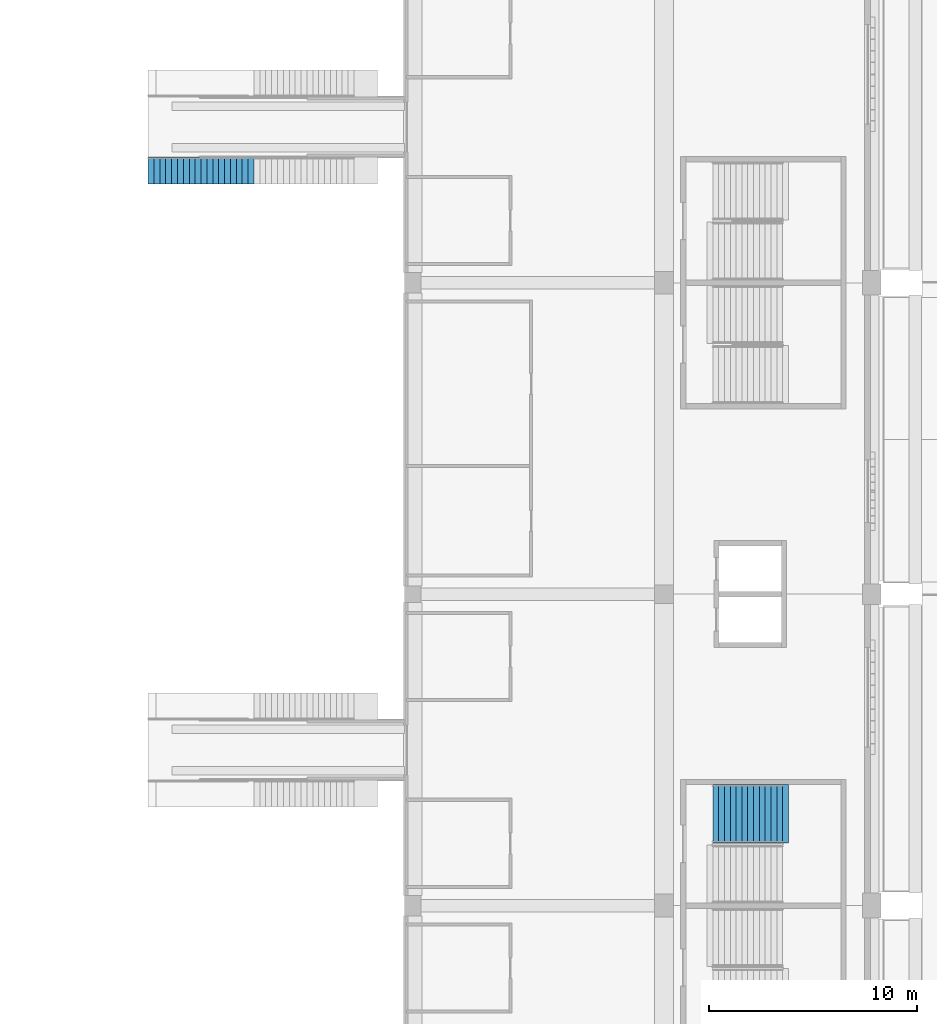
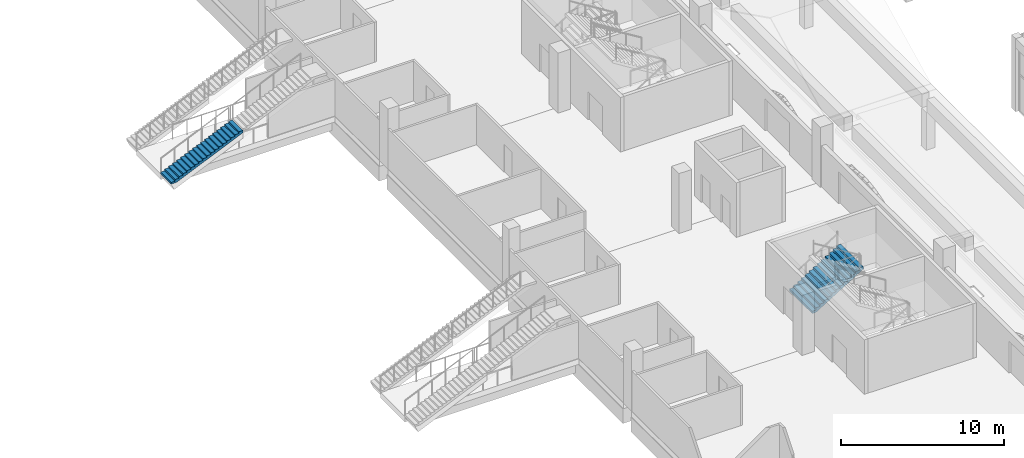
# One storey, part 102 of 175: 2 stair flights, 2 elements without a shape of their own.
"""IFC4 building model written with IfcOpenShell, lengths in metres."""

from ifc_helpers import new_model, si_unit, direction, frame, origin, place, context, subcontext, project, spatial, faceted_brep, material, type_object, element, aggregate, save


model = new_model("IFC4")

# Units and contexts
model_context = context("Model", 3, precision=1e-05, world=origin(), true_north=direction((0.0, 1.0)))
body_context = subcontext(model_context, "Body", "Model", "MODEL_VIEW")
ifc_project = project(units=[si_unit("LENGTHUNIT", "METRE"), si_unit("AREAUNIT", "SQUARE_METRE"), si_unit("VOLUMEUNIT", "CUBIC_METRE"), si_unit("PLANEANGLEUNIT", "RADIAN"), si_unit("MASSUNIT", "GRAM", prefix="KILO")], contexts=[model_context])

# Site, building, storey
site_placement = place(None, origin())
site = spatial("IfcSite", under=ifc_project, at=site_placement, CompositionType="ELEMENT")
building_placement = place(site_placement, origin())
building = spatial("IfcBuilding", under=site, at=building_placement, Name="Ogive Plaza Stadium", CompositionType="ELEMENT")
storey_placement = place(building_placement, origin())
storey = spatial("IfcBuildingStorey", under=building, at=storey_placement, Name="L00", CompositionType="ELEMENT", Elevation=0.0)

# Stair, stair flight
ifc_material_1 = material(Name="Concrete C40/50", Category="concrete")
stair_type_1 = type_object("IfcStairType", Name="Aisle stair", PredefinedType="STRAIGHT_RUN_STAIR", material=ifc_material_1)
stair_1_placement = place(storey_placement, origin())
stair_1 = element("IfcStair", 1, at=stair_1_placement, inside=storey, type_object=stair_type_1, Name="Aisle stair SA03L", PredefinedType="STRAIGHT_RUN_STAIR")
ifc_material_2 = material(Name="Concrete C40/50", Category="concrete")
stair_flight_type_1 = type_object("IfcStairFlightType", Name="Aisle stair flight", PredefinedType="STRAIGHT", material=ifc_material_2)
stair_flight_1_placement = place(storey_placement, frame((49.14990234375, 12.89990234375, 0.0), z_axis=(0.0, 0.0, 1.0), x_axis=(1.0, 0.0, 0.0)))
stair_flight_1 = element("IfcStairFlight", 2, at=stair_flight_1_placement, type_object=stair_flight_type_1, Name="SA03L flight 1", NumberOfRisers=18, NumberOfTreads=17, PredefinedType="STRAIGHT", RiserHeight=0.125, TreadLength=0.283333333, context=body_context, shape_type="Brep", body=[
    faceted_brep([(0.371337890625, -0.64990234375, 0.0), (5.10009765625, -0.64990234375, 2.086181640625), (5.10009765625, -0.64990234375, 2.25), (4.816650390625, -0.64990234375, 2.25), (4.816650390625, -0.64990234375, 2.125), (4.533447265625, -0.64990234375, 2.125), (4.533447265625, -0.64990234375, 2.0), (4.25, -0.64990234375, 2.0), (4.25, -0.64990234375, 1.875), (3.966552734375, -0.64990234375, 1.875), (3.966552734375, -0.64990234375, 1.75), (3.683349609375, -0.64990234375, 1.75), (3.683349609375, -0.64990234375, 1.625), (3.39990234375, -0.64990234375, 1.625), (3.39990234375, -0.64990234375, 1.5), (3.11669921875, -0.64990234375, 1.5), (3.11669921875, -0.64990234375, 1.375), (2.833251953125, -0.64990234375, 1.375), (2.833251953125, -0.64990234375, 1.25), (2.550048828125, -0.64990234375, 1.25), (2.550048828125, -0.64990234375, 1.125), (2.2666015625, -0.64990234375, 1.125), (2.2666015625, -0.64990234375, 1.0), (1.9833984375, -0.64990234375, 1.0), (1.9833984375, -0.64990234375, 0.875), (1.699951171875, -0.64990234375, 0.875), (1.699951171875, -0.64990234375, 0.75), (1.416748046875, -0.64990234375, 0.75), (1.416748046875, -0.64990234375, 0.625), (1.13330078125, -0.64990234375, 0.625), (1.13330078125, -0.64990234375, 0.5), (0.85009765625, -0.64990234375, 0.5), (0.85009765625, -0.64990234375, 0.375), (0.566650390625, -0.64990234375, 0.375), (0.566650390625, -0.64990234375, 0.25), (0.283447265625, -0.64990234375, 0.25), (0.283447265625, -0.64990234375, 0.125), (0.0, -0.64990234375, 0.125), (0.0, -0.64990234375, 0.0), (0.0, 0.64990234375, 0.0), (0.0, 0.64990234375, 0.125), (0.283447265625, 0.64990234375, 0.125), (0.283447265625, 0.64990234375, 0.25), (0.566650390625, 0.64990234375, 0.25), (0.566650390625, 0.64990234375, 0.375), (0.85009765625, 0.64990234375, 0.375), (0.85009765625, 0.64990234375, 0.5), (1.13330078125, 0.64990234375, 0.5), (1.13330078125, 0.64990234375, 0.625), (1.416748046875, 0.64990234375, 0.625), (1.416748046875, 0.64990234375, 0.75), (1.699951171875, 0.64990234375, 0.75), (1.699951171875, 0.64990234375, 0.875), (1.9833984375, 0.64990234375, 0.875), (1.9833984375, 0.64990234375, 1.0), (2.2666015625, 0.64990234375, 1.0), (2.2666015625, 0.64990234375, 1.125), (2.550048828125, 0.64990234375, 1.125), (2.550048828125, 0.64990234375, 1.25), (2.833251953125, 0.64990234375, 1.25), (2.833251953125, 0.64990234375, 1.375), (3.11669921875, 0.64990234375, 1.375), (3.11669921875, 0.64990234375, 1.5), (3.39990234375, 0.64990234375, 1.5), (3.39990234375, 0.64990234375, 1.625), (3.683349609375, 0.64990234375, 1.625), (3.683349609375, 0.64990234375, 1.75), (3.966552734375, 0.64990234375, 1.75), (3.966552734375, 0.64990234375, 1.875), (4.25, 0.64990234375, 1.875), (4.25, 0.64990234375, 2.0), (4.533447265625, 0.64990234375, 2.0), (4.533447265625, 0.64990234375, 2.125), (4.816650390625, 0.64990234375, 2.125), (4.816650390625, 0.64990234375, 2.25), (5.10009765625, 0.64990234375, 2.25), (5.10009765625, 0.64990234375, 2.086181640625), (0.371337890625, 0.64990234375, 0.0), (0.371337890625, -0.324951171875, 0.0), (5.10009765625, -0.324951171875, 2.086181640625), (0.371337890625, 0.0, 0.0), (5.10009765625, 0.0, 2.086181640625), (0.371337890625, 0.324951171875, 0.0), (5.10009765625, 0.324951171875, 2.086181640625), (5.10009765625, -0.324951171875, 2.25), (5.10009765625, 0.0, 2.25), (5.10009765625, 0.324951171875, 2.25), (4.816650390625, -0.324951171875, 2.25), (4.816650390625, 0.0, 2.25), (4.816650390625, 0.324951171875, 2.25), (4.816650390625, -0.324951171875, 2.125), (4.816650390625, 0.0, 2.125), (4.816650390625, 0.324951171875, 2.125), (4.533447265625, -0.324951171875, 2.125), (4.533447265625, 0.0, 2.125), (4.533447265625, 0.324951171875, 2.125), (4.533447265625, -0.324951171875, 2.0), (4.533447265625, 0.0, 2.0), (4.533447265625, 0.324951171875, 2.0), (4.25, -0.324951171875, 2.0), (4.25, 0.0, 2.0), (4.25, 0.324951171875, 2.0), (4.25, -0.324951171875, 1.875), (4.25, 0.0, 1.875), (4.25, 0.324951171875, 1.875), (3.966552734375, -0.324951171875, 1.875), (3.966552734375, 0.0, 1.875), (3.966552734375, 0.324951171875, 1.875), (3.966552734375, -0.324951171875, 1.75), (3.966552734375, 0.0, 1.75), (3.966552734375, 0.324951171875, 1.75), (3.683349609375, -0.324951171875, 1.75), (3.683349609375, 0.0, 1.75), (3.683349609375, 0.324951171875, 1.75), (3.683349609375, -0.324951171875, 1.625), (3.683349609375, 0.0, 1.625), (3.683349609375, 0.324951171875, 1.625), (3.39990234375, -0.324951171875, 1.625), (3.39990234375, 0.0, 1.625), (3.39990234375, 0.324951171875, 1.625), (3.39990234375, -0.324951171875, 1.5), (3.39990234375, 0.0, 1.5), (3.39990234375, 0.324951171875, 1.5), (3.11669921875, -0.324951171875, 1.5), (3.11669921875, 0.0, 1.5), (3.11669921875, 0.324951171875, 1.5), (3.11669921875, -0.324951171875, 1.375), (3.11669921875, 0.0, 1.375), (3.11669921875, 0.324951171875, 1.375), (2.833251953125, -0.324951171875, 1.375), (2.833251953125, 0.0, 1.375), (2.833251953125, 0.324951171875, 1.375), (2.833251953125, -0.324951171875, 1.25), (2.833251953125, 0.0, 1.25), (2.833251953125, 0.324951171875, 1.25), (2.550048828125, -0.324951171875, 1.25), (2.550048828125, 0.0, 1.25), (2.550048828125, 0.324951171875, 1.25), (2.550048828125, -0.324951171875, 1.125), (2.550048828125, 0.0, 1.125), (2.550048828125, 0.324951171875, 1.125), (2.2666015625, -0.324951171875, 1.125), (2.2666015625, 0.0, 1.125), (2.2666015625, 0.324951171875, 1.125), (2.2666015625, -0.324951171875, 1.0), (2.2666015625, 0.0, 1.0), (2.2666015625, 0.324951171875, 1.0), (1.9833984375, -0.324951171875, 1.0), (1.9833984375, 0.0, 1.0), (1.9833984375, 0.324951171875, 1.0), (1.9833984375, -0.324951171875, 0.875), (1.9833984375, 0.0, 0.875), (1.9833984375, 0.324951171875, 0.875), (1.699951171875, -0.324951171875, 0.875), (1.699951171875, 0.0, 0.875), (1.699951171875, 0.324951171875, 0.875), (1.699951171875, -0.324951171875, 0.75), (1.699951171875, 0.0, 0.75), (1.699951171875, 0.324951171875, 0.75), (1.416748046875, -0.324951171875, 0.75), (1.416748046875, 0.0, 0.75), (1.416748046875, 0.324951171875, 0.75), (1.416748046875, -0.324951171875, 0.625), (1.416748046875, 0.0, 0.625), (1.416748046875, 0.324951171875, 0.625), (1.13330078125, -0.324951171875, 0.625), (1.13330078125, 0.0, 0.625), (1.13330078125, 0.324951171875, 0.625), (1.13330078125, -0.324951171875, 0.5), (1.13330078125, 0.0, 0.5), (1.13330078125, 0.324951171875, 0.5), (0.85009765625, -0.324951171875, 0.5), (0.85009765625, 0.0, 0.5), (0.85009765625, 0.324951171875, 0.5), (0.85009765625, -0.324951171875, 0.375), (0.85009765625, 0.0, 0.375), (0.85009765625, 0.324951171875, 0.375), (0.566650390625, -0.324951171875, 0.375), (0.566650390625, 0.0, 0.375), (0.566650390625, 0.324951171875, 0.375), (0.566650390625, -0.324951171875, 0.25), (0.566650390625, 0.0, 0.25), (0.566650390625, 0.324951171875, 0.25), (0.283447265625, -0.324951171875, 0.25), (0.283447265625, 0.0, 0.25), (0.283447265625, 0.324951171875, 0.25), (0.283447265625, -0.324951171875, 0.125), (0.283447265625, 0.0, 0.125), (0.283447265625, 0.324951171875, 0.125), (0.0, -0.324951171875, 0.125), (0.0, 0.0, 0.125), (0.0, 0.324951171875, 0.125), (0.0, -0.324951171875, 0.0), (0.0, 0.0, 0.0), (0.0, 0.324951171875, 0.0)], [[[0, 1, 2, 3, 4, 5, 6, 7, 8, 9, 10, 11, 12, 13, 14, 15, 16, 17, 18, 19, 20, 21, 22, 23, 24, 25, 26, 27, 28, 29, 30, 31, 32, 33, 34, 35, 36, 37, 38]], [[39, 40, 41, 42, 43, 44, 45, 46, 47, 48, 49, 50, 51, 52, 53, 54, 55, 56, 57, 58, 59, 60, 61, 62, 63, 64, 65, 66, 67, 68, 69, 70, 71, 72, 73, 74, 75, 76, 77]], [[0, 78, 79, 1]], [[78, 80, 81, 79]], [[80, 82, 83, 81]], [[82, 77, 76, 83]], [[1, 79, 84, 2]], [[79, 81, 85, 84]], [[81, 83, 86, 85]], [[83, 76, 75, 86]], [[2, 84, 87, 3]], [[84, 85, 88, 87]], [[85, 86, 89, 88]], [[86, 75, 74, 89]], [[3, 87, 90, 4]], [[87, 88, 91, 90]], [[88, 89, 92, 91]], [[89, 74, 73, 92]], [[4, 90, 93, 5]], [[90, 91, 94, 93]], [[91, 92, 95, 94]], [[92, 73, 72, 95]], [[5, 93, 96, 6]], [[93, 94, 97, 96]], [[94, 95, 98, 97]], [[95, 72, 71, 98]], [[6, 96, 99, 7]], [[96, 97, 100, 99]], [[97, 98, 101, 100]], [[98, 71, 70, 101]], [[7, 99, 102, 8]], [[99, 100, 103, 102]], [[100, 101, 104, 103]], [[101, 70, 69, 104]], [[8, 102, 105, 9]], [[102, 103, 106, 105]], [[103, 104, 107, 106]], [[104, 69, 68, 107]], [[9, 105, 108, 10]], [[105, 106, 109, 108]], [[106, 107, 110, 109]], [[107, 68, 67, 110]], [[10, 108, 111, 11]], [[108, 109, 112, 111]], [[109, 110, 113, 112]], [[110, 67, 66, 113]], [[11, 111, 114, 12]], [[111, 112, 115, 114]], [[112, 113, 116, 115]], [[113, 66, 65, 116]], [[12, 114, 117, 13]], [[114, 115, 118, 117]], [[115, 116, 119, 118]], [[116, 65, 64, 119]], [[13, 117, 120, 14]], [[117, 118, 121, 120]], [[118, 119, 122, 121]], [[119, 64, 63, 122]], [[14, 120, 123, 15]], [[120, 121, 124, 123]], [[121, 122, 125, 124]], [[122, 63, 62, 125]], [[15, 123, 126, 16]], [[123, 124, 127, 126]], [[124, 125, 128, 127]], [[125, 62, 61, 128]], [[16, 126, 129, 17]], [[126, 127, 130, 129]], [[127, 128, 131, 130]], [[128, 61, 60, 131]], [[17, 129, 132, 18]], [[129, 130, 133, 132]], [[130, 131, 134, 133]], [[131, 60, 59, 134]], [[18, 132, 135, 19]], [[132, 133, 136, 135]], [[133, 134, 137, 136]], [[134, 59, 58, 137]], [[19, 135, 138, 20]], [[135, 136, 139, 138]], [[136, 137, 140, 139]], [[137, 58, 57, 140]], [[20, 138, 141, 21]], [[138, 139, 142, 141]], [[139, 140, 143, 142]], [[140, 57, 56, 143]], [[21, 141, 144, 22]], [[141, 142, 145, 144]], [[142, 143, 146, 145]], [[143, 56, 55, 146]], [[22, 144, 147, 23]], [[144, 145, 148, 147]], [[145, 146, 149, 148]], [[146, 55, 54, 149]], [[23, 147, 150, 24]], [[147, 148, 151, 150]], [[148, 149, 152, 151]], [[149, 54, 53, 152]], [[24, 150, 153, 25]], [[150, 151, 154, 153]], [[151, 152, 155, 154]], [[152, 53, 52, 155]], [[25, 153, 156, 26]], [[153, 154, 157, 156]], [[154, 155, 158, 157]], [[155, 52, 51, 158]], [[26, 156, 159, 27]], [[156, 157, 160, 159]], [[157, 158, 161, 160]], [[158, 51, 50, 161]], [[27, 159, 162, 28]], [[159, 160, 163, 162]], [[160, 161, 164, 163]], [[161, 50, 49, 164]], [[28, 162, 165, 29]], [[162, 163, 166, 165]], [[163, 164, 167, 166]], [[164, 49, 48, 167]], [[29, 165, 168, 30]], [[165, 166, 169, 168]], [[166, 167, 170, 169]], [[167, 48, 47, 170]], [[30, 168, 171, 31]], [[168, 169, 172, 171]], [[169, 170, 173, 172]], [[170, 47, 46, 173]], [[31, 171, 174, 32]], [[171, 172, 175, 174]], [[172, 173, 176, 175]], [[173, 46, 45, 176]], [[32, 174, 177, 33]], [[174, 175, 178, 177]], [[175, 176, 179, 178]], [[176, 45, 44, 179]], [[33, 177, 180, 34]], [[177, 178, 181, 180]], [[178, 179, 182, 181]], [[179, 44, 43, 182]], [[34, 180, 183, 35]], [[180, 181, 184, 183]], [[181, 182, 185, 184]], [[182, 43, 42, 185]], [[35, 183, 186, 36]], [[183, 184, 187, 186]], [[184, 185, 188, 187]], [[185, 42, 41, 188]], [[36, 186, 189, 37]], [[186, 187, 190, 189]], [[187, 188, 191, 190]], [[188, 41, 40, 191]], [[37, 189, 192, 38]], [[189, 190, 193, 192]], [[190, 191, 194, 193]], [[191, 40, 39, 194]], [[38, 192, 78, 0]], [[192, 193, 80, 78]], [[193, 194, 82, 80]], [[194, 39, 77, 82]]]),
])
aggregate(stair_1, [stair_flight_1])

ifc_material_3 = material(Name="Concrete C40/50", Category="concrete")
stair_type_2 = type_object("IfcStairType", Name="Exit stair", PredefinedType="STRAIGHT_RUN_STAIR", material=ifc_material_3)
stair_2_placement = place(storey_placement, origin())
stair_2 = element("IfcStair", 3, at=stair_2_placement, inside=storey, type_object=stair_type_2, Name="Exit stair ST06B L00 to L01", PredefinedType="STRAIGHT_RUN_STAIR")
ifc_material_4 = material(Name="Concrete C40/50", Category="concrete")
stair_flight_type_2 = type_object("IfcStairFlightType", Name="Exit stair flight", PredefinedType="STRAIGHT", material=ifc_material_4)
stair_flight_2_placement = place(storey_placement, frame((76.35009765625, -18.074951171875, 0.0), z_axis=(0.0, 0.0, 1.0), x_axis=(1.0, 0.0, 0.0)))
stair_flight_2 = element("IfcStairFlight", 4, at=stair_flight_2_placement, type_object=stair_flight_type_2, Name="ST06B flight 1", NumberOfRisers=13, NumberOfTreads=12, PredefinedType="STRAIGHT", RiserHeight=0.173076923, TreadLength=0.28, context=body_context, shape_type="Brep", body=[
    faceted_brep([(0.28515625, -1.39990234375, 0.0), (3.639892578125, -1.39990234375, 2.07373046875), (3.639892578125, -1.39990234375, 2.25), (3.360107421875, -1.39990234375, 2.25), (3.360107421875, -1.39990234375, 2.076904296875), (3.080078125, -1.39990234375, 2.076904296875), (3.080078125, -1.39990234375, 1.90380859375), (2.800048828125, -1.39990234375, 1.90380859375), (2.800048828125, -1.39990234375, 1.730712890625), (2.52001953125, -1.39990234375, 1.730712890625), (2.52001953125, -1.39990234375, 1.5576171875), (2.239990234375, -1.39990234375, 1.5576171875), (2.239990234375, -1.39990234375, 1.384521484375), (1.9599609375, -1.39990234375, 1.384521484375), (1.9599609375, -1.39990234375, 1.21142578125), (1.679931640625, -1.39990234375, 1.21142578125), (1.679931640625, -1.39990234375, 1.03857421875), (1.39990234375, -1.39990234375, 1.03857421875), (1.39990234375, -1.39990234375, 0.865478515625), (1.1201171875, -1.39990234375, 0.865478515625), (1.1201171875, -1.39990234375, 0.6923828125), (0.840087890625, -1.39990234375, 0.6923828125), (0.840087890625, -1.39990234375, 0.519287109375), (0.56005859375, -1.39990234375, 0.519287109375), (0.56005859375, -1.39990234375, 0.34619140625), (0.280029296875, -1.39990234375, 0.34619140625), (0.280029296875, -1.39990234375, 0.173095703125), (0.0, -1.39990234375, 0.173095703125), (0.0, -1.39990234375, 0.0), (0.0, 1.39990234375, 0.0), (0.0, 1.39990234375, 0.173095703125), (0.280029296875, 1.39990234375, 0.173095703125), (0.280029296875, 1.39990234375, 0.34619140625), (0.56005859375, 1.39990234375, 0.34619140625), (0.56005859375, 1.39990234375, 0.519287109375), (0.840087890625, 1.39990234375, 0.519287109375), (0.840087890625, 1.39990234375, 0.6923828125), (1.1201171875, 1.39990234375, 0.6923828125), (1.1201171875, 1.39990234375, 0.865478515625), (1.39990234375, 1.39990234375, 0.865478515625), (1.39990234375, 1.39990234375, 1.03857421875), (1.679931640625, 1.39990234375, 1.03857421875), (1.679931640625, 1.39990234375, 1.21142578125), (1.9599609375, 1.39990234375, 1.21142578125), (1.9599609375, 1.39990234375, 1.384521484375), (2.239990234375, 1.39990234375, 1.384521484375), (2.239990234375, 1.39990234375, 1.5576171875), (2.52001953125, 1.39990234375, 1.5576171875), (2.52001953125, 1.39990234375, 1.730712890625), (2.800048828125, 1.39990234375, 1.730712890625), (2.800048828125, 1.39990234375, 1.90380859375), (3.080078125, 1.39990234375, 1.90380859375), (3.080078125, 1.39990234375, 2.076904296875), (3.360107421875, 1.39990234375, 2.076904296875), (3.360107421875, 1.39990234375, 2.25), (3.639892578125, 1.39990234375, 2.25), (3.639892578125, 1.39990234375, 2.07373046875), (0.28515625, 1.39990234375, 0.0), (0.28515625, -1.0888671875, 0.0), (3.639892578125, -1.0888671875, 2.07373046875), (0.28515625, -0.77783203125, 0.0), (3.639892578125, -0.77783203125, 2.07373046875), (0.28515625, -0.466796875, 0.0), (3.639892578125, -0.466796875, 2.07373046875), (0.28515625, -0.155517578125, 0.0), (3.639892578125, -0.155517578125, 2.07373046875), (0.28515625, 0.155517578125, 0.0), (3.639892578125, 0.155517578125, 2.07373046875), (0.28515625, 0.466796875, 0.0), (3.639892578125, 0.466796875, 2.07373046875), (0.28515625, 0.77783203125, 0.0), (3.639892578125, 0.77783203125, 2.07373046875), (0.28515625, 1.0888671875, 0.0), (3.639892578125, 1.0888671875, 2.07373046875), (3.639892578125, -1.0888671875, 2.25), (3.639892578125, -0.77783203125, 2.25), (3.639892578125, -0.466796875, 2.25), (3.639892578125, -0.155517578125, 2.25), (3.639892578125, 0.155517578125, 2.25), (3.639892578125, 0.466796875, 2.25), (3.639892578125, 0.77783203125, 2.25), (3.639892578125, 1.0888671875, 2.25), (3.360107421875, -1.0888671875, 2.25), (3.360107421875, -0.77783203125, 2.25), (3.360107421875, -0.466796875, 2.25), (3.360107421875, -0.155517578125, 2.25), (3.360107421875, 0.155517578125, 2.25), (3.360107421875, 0.466796875, 2.25), (3.360107421875, 0.77783203125, 2.25), (3.360107421875, 1.0888671875, 2.25), (3.360107421875, -1.0888671875, 2.076904296875), (3.360107421875, -0.77783203125, 2.076904296875), (3.360107421875, -0.466796875, 2.076904296875), (3.360107421875, -0.155517578125, 2.076904296875), (3.360107421875, 0.155517578125, 2.076904296875), (3.360107421875, 0.466796875, 2.076904296875), (3.360107421875, 0.77783203125, 2.076904296875), (3.360107421875, 1.0888671875, 2.076904296875), (3.080078125, -1.0888671875, 2.076904296875), (3.080078125, -0.77783203125, 2.076904296875), (3.080078125, -0.466796875, 2.076904296875), (3.080078125, -0.155517578125, 2.076904296875), (3.080078125, 0.155517578125, 2.076904296875), (3.080078125, 0.466796875, 2.076904296875), (3.080078125, 0.77783203125, 2.076904296875), (3.080078125, 1.0888671875, 2.076904296875), (3.080078125, -1.0888671875, 1.90380859375), (3.080078125, -0.77783203125, 1.90380859375), (3.080078125, -0.466796875, 1.90380859375), (3.080078125, -0.155517578125, 1.90380859375), (3.080078125, 0.155517578125, 1.90380859375), (3.080078125, 0.466796875, 1.90380859375), (3.080078125, 0.77783203125, 1.90380859375), (3.080078125, 1.0888671875, 1.90380859375), (2.800048828125, -1.0888671875, 1.90380859375), (2.800048828125, -0.77783203125, 1.90380859375), (2.800048828125, -0.466796875, 1.90380859375), (2.800048828125, -0.155517578125, 1.90380859375), (2.800048828125, 0.155517578125, 1.90380859375), (2.800048828125, 0.466796875, 1.90380859375), (2.800048828125, 0.77783203125, 1.90380859375), (2.800048828125, 1.0888671875, 1.90380859375), (2.800048828125, -1.0888671875, 1.730712890625), (2.800048828125, -0.77783203125, 1.730712890625), (2.800048828125, -0.466796875, 1.730712890625), (2.800048828125, -0.155517578125, 1.730712890625), (2.800048828125, 0.155517578125, 1.730712890625), (2.800048828125, 0.466796875, 1.730712890625), (2.800048828125, 0.77783203125, 1.730712890625), (2.800048828125, 1.0888671875, 1.730712890625), (2.52001953125, -1.0888671875, 1.730712890625), (2.52001953125, -0.77783203125, 1.730712890625), (2.52001953125, -0.466796875, 1.730712890625), (2.52001953125, -0.155517578125, 1.730712890625), (2.52001953125, 0.155517578125, 1.730712890625), (2.52001953125, 0.466796875, 1.730712890625), (2.52001953125, 0.77783203125, 1.730712890625), (2.52001953125, 1.0888671875, 1.730712890625), (2.52001953125, -1.0888671875, 1.5576171875), (2.52001953125, -0.77783203125, 1.5576171875), (2.52001953125, -0.466796875, 1.5576171875), (2.52001953125, -0.155517578125, 1.5576171875), (2.52001953125, 0.155517578125, 1.5576171875), (2.52001953125, 0.466796875, 1.5576171875), (2.52001953125, 0.77783203125, 1.5576171875), (2.52001953125, 1.0888671875, 1.5576171875), (2.239990234375, -1.0888671875, 1.5576171875), (2.239990234375, -0.77783203125, 1.5576171875), (2.239990234375, -0.466796875, 1.5576171875), (2.239990234375, -0.155517578125, 1.5576171875), (2.239990234375, 0.155517578125, 1.5576171875), (2.239990234375, 0.466796875, 1.5576171875), (2.239990234375, 0.77783203125, 1.5576171875), (2.239990234375, 1.0888671875, 1.5576171875), (2.239990234375, -1.0888671875, 1.384521484375), (2.239990234375, -0.77783203125, 1.384521484375), (2.239990234375, -0.466796875, 1.384521484375), (2.239990234375, -0.155517578125, 1.384521484375), (2.239990234375, 0.155517578125, 1.384521484375), (2.239990234375, 0.466796875, 1.384521484375), (2.239990234375, 0.77783203125, 1.384521484375), (2.239990234375, 1.0888671875, 1.384521484375), (1.9599609375, -1.0888671875, 1.384521484375), (1.9599609375, -0.77783203125, 1.384521484375), (1.9599609375, -0.466796875, 1.384521484375), (1.9599609375, -0.155517578125, 1.384521484375), (1.9599609375, 0.155517578125, 1.384521484375), (1.9599609375, 0.466796875, 1.384521484375), (1.9599609375, 0.77783203125, 1.384521484375), (1.9599609375, 1.0888671875, 1.384521484375), (1.9599609375, -1.0888671875, 1.21142578125), (1.9599609375, -0.77783203125, 1.21142578125), (1.9599609375, -0.466796875, 1.21142578125), (1.9599609375, -0.155517578125, 1.21142578125), (1.9599609375, 0.155517578125, 1.21142578125), (1.9599609375, 0.466796875, 1.21142578125), (1.9599609375, 0.77783203125, 1.21142578125), (1.9599609375, 1.0888671875, 1.21142578125), (1.679931640625, -1.0888671875, 1.21142578125), (1.679931640625, -0.77783203125, 1.21142578125), (1.679931640625, -0.466796875, 1.21142578125), (1.679931640625, -0.155517578125, 1.21142578125), (1.679931640625, 0.155517578125, 1.21142578125), (1.679931640625, 0.466796875, 1.21142578125), (1.679931640625, 0.77783203125, 1.21142578125), (1.679931640625, 1.0888671875, 1.21142578125), (1.679931640625, -1.0888671875, 1.03857421875), (1.679931640625, -0.77783203125, 1.03857421875), (1.679931640625, -0.466796875, 1.03857421875), (1.679931640625, -0.155517578125, 1.03857421875), (1.679931640625, 0.155517578125, 1.03857421875), (1.679931640625, 0.466796875, 1.03857421875), (1.679931640625, 0.77783203125, 1.03857421875), (1.679931640625, 1.0888671875, 1.03857421875), (1.39990234375, -1.0888671875, 1.03857421875), (1.39990234375, -0.77783203125, 1.03857421875), (1.39990234375, -0.466796875, 1.03857421875), (1.39990234375, -0.155517578125, 1.03857421875), (1.39990234375, 0.155517578125, 1.03857421875), (1.39990234375, 0.466796875, 1.03857421875), (1.39990234375, 0.77783203125, 1.03857421875), (1.39990234375, 1.0888671875, 1.03857421875), (1.39990234375, -1.0888671875, 0.865478515625), (1.39990234375, -0.77783203125, 0.865478515625), (1.39990234375, -0.466796875, 0.865478515625), (1.39990234375, -0.155517578125, 0.865478515625), (1.39990234375, 0.155517578125, 0.865478515625), (1.39990234375, 0.466796875, 0.865478515625), (1.39990234375, 0.77783203125, 0.865478515625), (1.39990234375, 1.0888671875, 0.865478515625), (1.1201171875, -1.0888671875, 0.865478515625), (1.1201171875, -0.77783203125, 0.865478515625), (1.1201171875, -0.466796875, 0.865478515625), (1.1201171875, -0.155517578125, 0.865478515625), (1.1201171875, 0.155517578125, 0.865478515625), (1.1201171875, 0.466796875, 0.865478515625), (1.1201171875, 0.77783203125, 0.865478515625), (1.1201171875, 1.0888671875, 0.865478515625), (1.1201171875, -1.0888671875, 0.6923828125), (1.1201171875, -0.77783203125, 0.6923828125), (1.1201171875, -0.466796875, 0.6923828125), (1.1201171875, -0.155517578125, 0.6923828125), (1.1201171875, 0.155517578125, 0.6923828125), (1.1201171875, 0.466796875, 0.6923828125), (1.1201171875, 0.77783203125, 0.6923828125), (1.1201171875, 1.0888671875, 0.6923828125), (0.840087890625, -1.0888671875, 0.6923828125), (0.840087890625, -0.77783203125, 0.6923828125), (0.840087890625, -0.466796875, 0.6923828125), (0.840087890625, -0.155517578125, 0.6923828125), (0.840087890625, 0.155517578125, 0.6923828125), (0.840087890625, 0.466796875, 0.6923828125), (0.840087890625, 0.77783203125, 0.6923828125), (0.840087890625, 1.0888671875, 0.6923828125), (0.840087890625, -1.0888671875, 0.519287109375), (0.840087890625, -0.77783203125, 0.519287109375), (0.840087890625, -0.466796875, 0.519287109375), (0.840087890625, -0.155517578125, 0.519287109375), (0.840087890625, 0.155517578125, 0.519287109375), (0.840087890625, 0.466796875, 0.519287109375), (0.840087890625, 0.77783203125, 0.519287109375), (0.840087890625, 1.0888671875, 0.519287109375), (0.56005859375, -1.0888671875, 0.519287109375), (0.56005859375, -0.77783203125, 0.519287109375), (0.56005859375, -0.466796875, 0.519287109375), (0.56005859375, -0.155517578125, 0.519287109375), (0.56005859375, 0.155517578125, 0.519287109375), (0.56005859375, 0.466796875, 0.519287109375), (0.56005859375, 0.77783203125, 0.519287109375), (0.56005859375, 1.0888671875, 0.519287109375), (0.56005859375, -1.0888671875, 0.34619140625), (0.56005859375, -0.77783203125, 0.34619140625), (0.56005859375, -0.466796875, 0.34619140625), (0.56005859375, -0.155517578125, 0.34619140625), (0.56005859375, 0.155517578125, 0.34619140625), (0.56005859375, 0.466796875, 0.34619140625), (0.56005859375, 0.77783203125, 0.34619140625), (0.56005859375, 1.0888671875, 0.34619140625), (0.280029296875, -1.0888671875, 0.34619140625), (0.280029296875, -0.77783203125, 0.34619140625), (0.280029296875, -0.466796875, 0.34619140625), (0.280029296875, -0.155517578125, 0.34619140625), (0.280029296875, 0.155517578125, 0.34619140625), (0.280029296875, 0.466796875, 0.34619140625), (0.280029296875, 0.77783203125, 0.34619140625), (0.280029296875, 1.0888671875, 0.34619140625), (0.280029296875, -1.0888671875, 0.173095703125), (0.280029296875, -0.77783203125, 0.173095703125), (0.280029296875, -0.466796875, 0.173095703125), (0.280029296875, -0.155517578125, 0.173095703125), (0.280029296875, 0.155517578125, 0.173095703125), (0.280029296875, 0.466796875, 0.173095703125), (0.280029296875, 0.77783203125, 0.173095703125), (0.280029296875, 1.0888671875, 0.173095703125), (0.0, -1.0888671875, 0.173095703125), (0.0, -0.77783203125, 0.173095703125), (0.0, -0.466796875, 0.173095703125), (0.0, -0.155517578125, 0.173095703125), (0.0, 0.155517578125, 0.173095703125), (0.0, 0.466796875, 0.173095703125), (0.0, 0.77783203125, 0.173095703125), (0.0, 1.0888671875, 0.173095703125), (0.0, -1.0888671875, 0.0), (0.0, -0.77783203125, 0.0), (0.0, -0.466796875, 0.0), (0.0, -0.155517578125, 0.0), (0.0, 0.155517578125, 0.0), (0.0, 0.466796875, 0.0), (0.0, 0.77783203125, 0.0), (0.0, 1.0888671875, 0.0)], [[[0, 1, 2, 3, 4, 5, 6, 7, 8, 9, 10, 11, 12, 13, 14, 15, 16, 17, 18, 19, 20, 21, 22, 23, 24, 25, 26, 27, 28]], [[29, 30, 31, 32, 33, 34, 35, 36, 37, 38, 39, 40, 41, 42, 43, 44, 45, 46, 47, 48, 49, 50, 51, 52, 53, 54, 55, 56, 57]], [[0, 58, 59, 1]], [[58, 60, 61, 59]], [[60, 62, 63, 61]], [[62, 64, 65, 63]], [[64, 66, 67, 65]], [[66, 68, 69, 67]], [[68, 70, 71, 69]], [[70, 72, 73, 71]], [[72, 57, 56, 73]], [[1, 59, 74, 2]], [[59, 61, 75, 74]], [[61, 63, 76, 75]], [[63, 65, 77, 76]], [[65, 67, 78, 77]], [[67, 69, 79, 78]], [[69, 71, 80, 79]], [[71, 73, 81, 80]], [[73, 56, 55, 81]], [[2, 74, 82, 3]], [[74, 75, 83, 82]], [[75, 76, 84, 83]], [[76, 77, 85, 84]], [[77, 78, 86, 85]], [[78, 79, 87, 86]], [[79, 80, 88, 87]], [[80, 81, 89, 88]], [[81, 55, 54, 89]], [[3, 82, 90, 4]], [[82, 83, 91, 90]], [[83, 84, 92, 91]], [[84, 85, 93, 92]], [[85, 86, 94, 93]], [[86, 87, 95, 94]], [[87, 88, 96, 95]], [[88, 89, 97, 96]], [[89, 54, 53, 97]], [[4, 90, 98, 5]], [[90, 91, 99, 98]], [[91, 92, 100, 99]], [[92, 93, 101, 100]], [[93, 94, 102, 101]], [[94, 95, 103, 102]], [[95, 96, 104, 103]], [[96, 97, 105, 104]], [[97, 53, 52, 105]], [[5, 98, 106, 6]], [[98, 99, 107, 106]], [[99, 100, 108, 107]], [[100, 101, 109, 108]], [[101, 102, 110, 109]], [[102, 103, 111, 110]], [[103, 104, 112, 111]], [[104, 105, 113, 112]], [[105, 52, 51, 113]], [[6, 106, 114, 7]], [[106, 107, 115, 114]], [[107, 108, 116, 115]], [[108, 109, 117, 116]], [[109, 110, 118, 117]], [[110, 111, 119, 118]], [[111, 112, 120, 119]], [[112, 113, 121, 120]], [[113, 51, 50, 121]], [[7, 114, 122, 8]], [[114, 115, 123, 122]], [[115, 116, 124, 123]], [[116, 117, 125, 124]], [[117, 118, 126, 125]], [[118, 119, 127, 126]], [[119, 120, 128, 127]], [[120, 121, 129, 128]], [[121, 50, 49, 129]], [[8, 122, 130, 9]], [[122, 123, 131, 130]], [[123, 124, 132, 131]], [[124, 125, 133, 132]], [[125, 126, 134, 133]], [[126, 127, 135, 134]], [[127, 128, 136, 135]], [[128, 129, 137, 136]], [[129, 49, 48, 137]], [[9, 130, 138, 10]], [[130, 131, 139, 138]], [[131, 132, 140, 139]], [[132, 133, 141, 140]], [[133, 134, 142, 141]], [[134, 135, 143, 142]], [[135, 136, 144, 143]], [[136, 137, 145, 144]], [[137, 48, 47, 145]], [[10, 138, 146, 11]], [[138, 139, 147, 146]], [[139, 140, 148, 147]], [[140, 141, 149, 148]], [[141, 142, 150, 149]], [[142, 143, 151, 150]], [[143, 144, 152, 151]], [[144, 145, 153, 152]], [[145, 47, 46, 153]], [[11, 146, 154, 12]], [[146, 147, 155, 154]], [[147, 148, 156, 155]], [[148, 149, 157, 156]], [[149, 150, 158, 157]], [[150, 151, 159, 158]], [[151, 152, 160, 159]], [[152, 153, 161, 160]], [[153, 46, 45, 161]], [[12, 154, 162, 13]], [[154, 155, 163, 162]], [[155, 156, 164, 163]], [[156, 157, 165, 164]], [[157, 158, 166, 165]], [[158, 159, 167, 166]], [[159, 160, 168, 167]], [[160, 161, 169, 168]], [[161, 45, 44, 169]], [[13, 162, 170, 14]], [[162, 163, 171, 170]], [[163, 164, 172, 171]], [[164, 165, 173, 172]], [[165, 166, 174, 173]], [[166, 167, 175, 174]], [[167, 168, 176, 175]], [[168, 169, 177, 176]], [[169, 44, 43, 177]], [[14, 170, 178, 15]], [[170, 171, 179, 178]], [[171, 172, 180, 179]], [[172, 173, 181, 180]], [[173, 174, 182, 181]], [[174, 175, 183, 182]], [[175, 176, 184, 183]], [[176, 177, 185, 184]], [[177, 43, 42, 185]], [[15, 178, 186, 16]], [[178, 179, 187, 186]], [[179, 180, 188, 187]], [[180, 181, 189, 188]], [[181, 182, 190, 189]], [[182, 183, 191, 190]], [[183, 184, 192, 191]], [[184, 185, 193, 192]], [[185, 42, 41, 193]], [[16, 186, 194, 17]], [[186, 187, 195, 194]], [[187, 188, 196, 195]], [[188, 189, 197, 196]], [[189, 190, 198, 197]], [[190, 191, 199, 198]], [[191, 192, 200, 199]], [[192, 193, 201, 200]], [[193, 41, 40, 201]], [[17, 194, 202, 18]], [[194, 195, 203, 202]], [[195, 196, 204, 203]], [[196, 197, 205, 204]], [[197, 198, 206, 205]], [[198, 199, 207, 206]], [[199, 200, 208, 207]], [[200, 201, 209, 208]], [[201, 40, 39, 209]], [[18, 202, 210, 19]], [[202, 203, 211, 210]], [[203, 204, 212, 211]], [[204, 205, 213, 212]], [[205, 206, 214, 213]], [[206, 207, 215, 214]], [[207, 208, 216, 215]], [[208, 209, 217, 216]], [[209, 39, 38, 217]], [[19, 210, 218, 20]], [[210, 211, 219, 218]], [[211, 212, 220, 219]], [[212, 213, 221, 220]], [[213, 214, 222, 221]], [[214, 215, 223, 222]], [[215, 216, 224, 223]], [[216, 217, 225, 224]], [[217, 38, 37, 225]], [[20, 218, 226, 21]], [[218, 219, 227, 226]], [[219, 220, 228, 227]], [[220, 221, 229, 228]], [[221, 222, 230, 229]], [[222, 223, 231, 230]], [[223, 224, 232, 231]], [[224, 225, 233, 232]], [[225, 37, 36, 233]], [[21, 226, 234, 22]], [[226, 227, 235, 234]], [[227, 228, 236, 235]], [[228, 229, 237, 236]], [[229, 230, 238, 237]], [[230, 231, 239, 238]], [[231, 232, 240, 239]], [[232, 233, 241, 240]], [[233, 36, 35, 241]], [[22, 234, 242, 23]], [[234, 235, 243, 242]], [[235, 236, 244, 243]], [[236, 237, 245, 244]], [[237, 238, 246, 245]], [[238, 239, 247, 246]], [[239, 240, 248, 247]], [[240, 241, 249, 248]], [[241, 35, 34, 249]], [[23, 242, 250, 24]], [[242, 243, 251, 250]], [[243, 244, 252, 251]], [[244, 245, 253, 252]], [[245, 246, 254, 253]], [[246, 247, 255, 254]], [[247, 248, 256, 255]], [[248, 249, 257, 256]], [[249, 34, 33, 257]], [[24, 250, 258, 25]], [[250, 251, 259, 258]], [[251, 252, 260, 259]], [[252, 253, 261, 260]], [[253, 254, 262, 261]], [[254, 255, 263, 262]], [[255, 256, 264, 263]], [[256, 257, 265, 264]], [[257, 33, 32, 265]], [[25, 258, 266, 26]], [[258, 259, 267, 266]], [[259, 260, 268, 267]], [[260, 261, 269, 268]], [[261, 262, 270, 269]], [[262, 263, 271, 270]], [[263, 264, 272, 271]], [[264, 265, 273, 272]], [[265, 32, 31, 273]], [[26, 266, 274, 27]], [[266, 267, 275, 274]], [[267, 268, 276, 275]], [[268, 269, 277, 276]], [[269, 270, 278, 277]], [[270, 271, 279, 278]], [[271, 272, 280, 279]], [[272, 273, 281, 280]], [[273, 31, 30, 281]], [[27, 274, 282, 28]], [[274, 275, 283, 282]], [[275, 276, 284, 283]], [[276, 277, 285, 284]], [[277, 278, 286, 285]], [[278, 279, 287, 286]], [[279, 280, 288, 287]], [[280, 281, 289, 288]], [[281, 30, 29, 289]], [[28, 282, 58, 0]], [[282, 283, 60, 58]], [[283, 284, 62, 60]], [[284, 285, 64, 62]], [[285, 286, 66, 64]], [[286, 287, 68, 66]], [[287, 288, 70, 68]], [[288, 289, 72, 70]], [[289, 29, 57, 72]]]),
])
aggregate(stair_2, [stair_flight_2])

save(model, "model.ifc")
